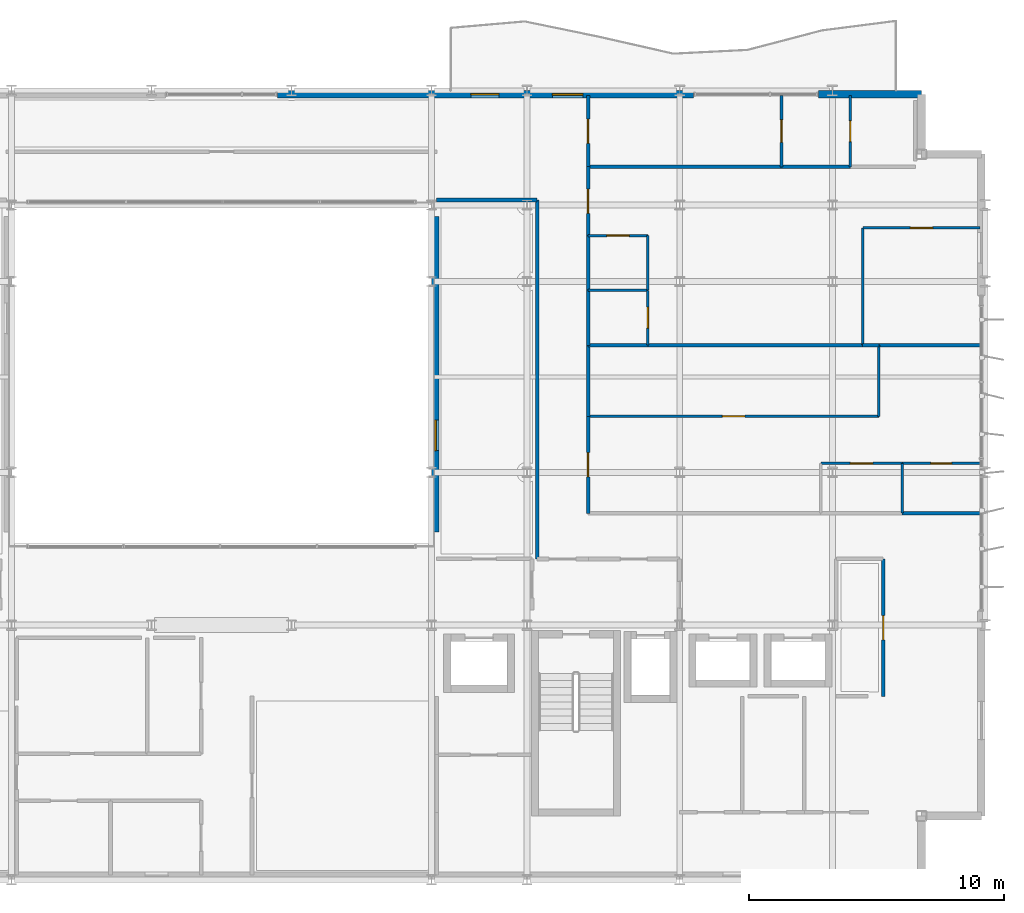
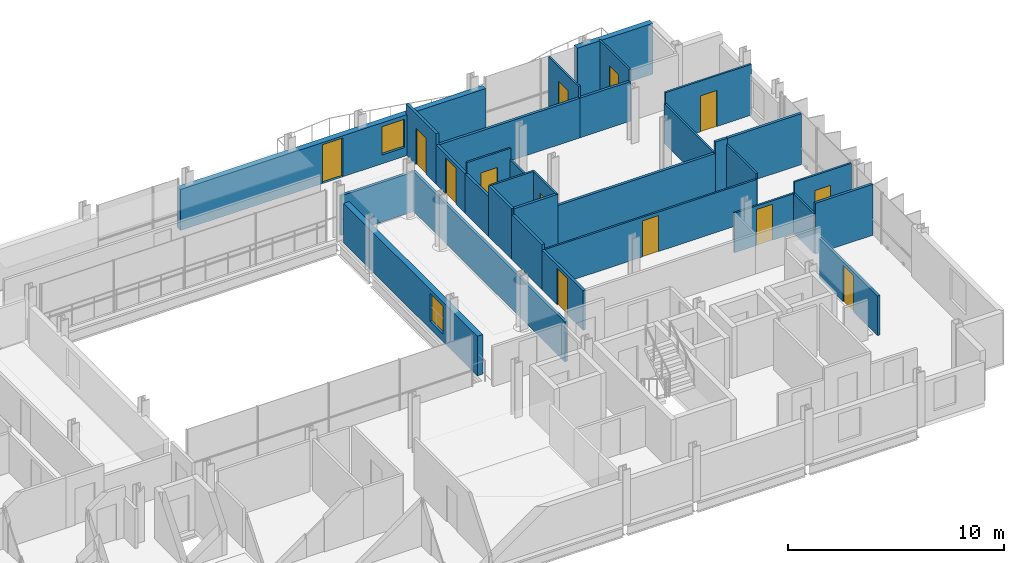
# One storey, part 33 of 40: 32 walls, 13 doors, 2 windows, 15 openings.
"""IFC4 building model written with IfcOpenShell, lengths in metres."""

from ifc_helpers import new_model, si_unit, direction, frame, frame_2d, origin, place, context, subcontext, project, spatial, rectangle, extrude, material, layer, layer_set, type_object, element, fill, save


model = new_model("IFC4")

# Units and contexts
model_context = context("Model", 3, precision=1e-05, world=origin(), true_north=direction((0.0, 1.0)))
body_context = subcontext(model_context, "Body", "Model", "MODEL_VIEW")
ifc_project = project(units=[si_unit("LENGTHUNIT", "METRE"), si_unit("AREAUNIT", "SQUARE_METRE"), si_unit("VOLUMEUNIT", "CUBIC_METRE"), si_unit("PLANEANGLEUNIT", "RADIAN"), si_unit("MASSUNIT", "GRAM", prefix="KILO")], contexts=[model_context])

# Site, building, storey
site_placement = place(None, origin())
site = spatial("IfcSite", under=ifc_project, at=site_placement, CompositionType="ELEMENT")
building_placement = place(site_placement, origin())
building = spatial("IfcBuilding", under=site, at=building_placement, Name="Brevholm Reach", CompositionType="ELEMENT")
storey_placement = place(building_placement, frame((0.0, 0.0, 148.0)))
storey = spatial("IfcBuildingStorey", under=building, at=storey_placement, Name="L44", CompositionType="ELEMENT", Elevation=148.0)

# Wall
ifc_material_1 = material(Name="Concrete C40/50", Category="concrete")
ifc_layer_1 = layer(ifc_material_1, 0.300048828125)
ifc_layer_set_1 = layer_set([ifc_layer_1], Name="Concrete C40/50")
wall_type_1 = type_object("IfcWallType", Name="WAL-EXT-300", PredefinedType="STANDARD", material=ifc_layer_set_1)
wall_1_placement = place(storey_placement, frame((53.449951171875, 30.85009765625, 0.0), z_axis=(0.0, 0.0, 1.0), x_axis=(1.0, 0.0, 0.0)))
element("IfcWall", 1, at=wall_1_placement, inside=storey, type_object=wall_type_1, Name="L44 Facade Wall WAL-L44-NP-E0", PredefinedType="STANDARD", context=body_context, shape_type="SweptSolid", body=[
    extrude(rectangle(XDim=4.050048828125, YDim=0.300048828125, at=frame_2d((2.02490234375, 0.0))), origin(), (0.0, 0.0, 1.0), 2.8798828125),
])

# Wall, openings, door, window
wall_2_placement = place(storey_placement, frame((32.199951171875, 30.85009765625, 0.0), z_axis=(0.0, 0.0, 1.0), x_axis=(1.0, 0.0, 0.0)))
wall_2 = element("IfcWall", 2, at=wall_2_placement, inside=storey, type_object=wall_type_1, Name="L44 Facade Wall WAL-L44-NP-ER", PredefinedType="STANDARD", context=body_context, shape_type="SweptSolid", body=[
    extrude(rectangle(XDim=16.35009765625, YDim=0.300048828125, at=frame_2d((8.175048828125, 0.0))), origin(), (0.0, 0.0, 1.0), 2.322021484375),
])
opening_1_placement = place(wall_2_placement, frame((7.60009765625, 0.0, 0.0)))
opening_1 = element("IfcOpeningElement", 3, at=opening_1_placement, cuts=wall_2, Name="Opening BD-01", PredefinedType="OPENING", context=body_context, shape_type="SweptSolid", body=[
    extrude(rectangle(XDim=1.10009765625, YDim=2.199951171875, at=frame_2d((0.550048828125, 1.10009765625))), frame((0.0, 0.159912109375, 0.0), z_axis=(0.0, -1.0, 0.0), x_axis=(1.0, 0.0, 0.0)), (0.0, 0.0, 1.0), 0.320068359375),
])
opening_2_placement = place(wall_2_placement, frame((10.800048828125, 0.0, 0.501953125)))
opening_2 = element("IfcOpeningElement", 4, at=opening_2_placement, cuts=wall_2, Name="Opening WN-08", PredefinedType="OPENING", context=body_context, shape_type="SweptSolid", body=[
    extrude(rectangle(XDim=1.199951171875, YDim=1.60009765625, at=frame_2d((0.60009765625, 0.800048828125))), frame((0.0, 0.159912109375, 0.0), z_axis=(0.0, -1.0, 0.0), x_axis=(1.0, 0.0, 0.0)), (0.0, 0.0, 1.0), 0.320068359375),
])
ifc_material_2 = material(Name="Dark Anodised Aluminium and Triple-Glazed Glass", Category="aluminium")
door_type_1 = type_object("IfcDoorType", Name="DOR-BALC-1100", OperationType="NOTDEFINED", PredefinedType="DOOR", material=ifc_material_2)
door_1_placement = place(opening_1_placement, origin())
door_1 = element("IfcDoor", 5, at=door_1_placement, inside=storey, type_object=door_type_1, Name="L44 Exterior Door DOR-L44-BL-NE", OperationType="SINGLE_SWING_RIGHT", OverallHeight=2.199951171875, OverallWidth=1.10009765625, PredefinedType="DOOR", context=body_context, shape_type="SweptSolid", body=[
    extrude(rectangle(XDim=1.10009765625, YDim=2.199951171875, at=frame_2d((0.550048828125, 1.10009765625))), frame((0.0, 0.02490234375, 0.0), z_axis=(0.0, -1.0, 0.0), x_axis=(1.0, 0.0, 0.0)), (0.0, 0.0, 1.0), 0.050048828125),
])
fill(opening_1, door_1)
ifc_material_3 = material(Name="Dark Anodised Aluminium and Solar-Control IGU Glass", Category="aluminium")
window_type = type_object("IfcWindowType", Name="WIN-RES-1200", PartitioningType="SINGLE_PANEL", PredefinedType="WINDOW", material=ifc_material_3)
window_1_placement = place(opening_2_placement, origin())
window_1 = element("IfcWindow", 6, at=window_1_placement, inside=storey, type_object=window_type, Name="L44 Window WIN-L44-NP-ER1", OverallHeight=1.60009765625, OverallWidth=1.199951171875, PartitioningType="SINGLE_PANEL", PredefinedType="WINDOW", context=body_context, shape_type="SweptSolid", body=[
    extrude(rectangle(XDim=1.199951171875, YDim=1.60009765625, at=frame_2d((0.60009765625, 0.800048828125))), frame((0.0, 0.030029296875, 0.0), z_axis=(0.0, -1.0, 0.0), x_axis=(1.0, 0.0, 0.0)), (0.0, 0.0, 1.0), 0.06005859375),
])
fill(opening_2, window_1)

# Wall, opening, window
wall_3_placement = place(storey_placement, frame((38.39990234375, 13.64990234375, 0.0), z_axis=(0.0, 0.0, 1.0), x_axis=(0.0, 1.0, 0.0)))
wall_3 = element("IfcWall", 7, at=wall_3_placement, inside=storey, type_object=wall_type_1, Name="L44 Facade Wall WAL-L44-AT-E", PredefinedType="STANDARD", context=body_context, shape_type="SweptSolid", body=[
    extrude(rectangle(XDim=12.400146484375, YDim=0.300048828125, at=frame_2d((6.2001953125, 0.0))), origin(), (0.0, 0.0, 1.0), 2.242919921875),
])
opening_3_placement = place(wall_3_placement, frame((3.199951171875, 0.0, 0.423095703125)))
opening_3 = element("IfcOpeningElement", 8, at=opening_3_placement, cuts=wall_3, Name="Opening WN-08", PredefinedType="OPENING", context=body_context, shape_type="SweptSolid", body=[
    extrude(rectangle(XDim=1.199951171875, YDim=1.60009765625, at=frame_2d((0.60009765625, 0.800048828125))), frame((0.0, 0.159912109375, 0.0), z_axis=(0.0, -1.0, 0.0), x_axis=(1.0, 0.0, 0.0)), (0.0, 0.0, 1.0), 0.320068359375),
])
window_2_placement = place(opening_3_placement, origin())
window_2 = element("IfcWindow", 9, at=window_2_placement, inside=storey, type_object=window_type, Name="L44 Window WIN-L44-AT-E1", OverallHeight=1.60009765625, OverallWidth=1.199951171875, PartitioningType="SINGLE_PANEL", PredefinedType="WINDOW", context=body_context, shape_type="SweptSolid", body=[
    extrude(rectangle(XDim=1.199951171875, YDim=1.60009765625, at=frame_2d((0.60009765625, 0.800048828125))), frame((0.0, 0.030029296875, 0.0), z_axis=(0.0, -1.0, 0.0), x_axis=(1.0, 0.0, 0.0)), (0.0, 0.0, 1.0), 0.06005859375),
])
fill(opening_3, window_2)

# Wall
ifc_material_4 = material(Name="Moisture-Resistant Acoustic Gypsum Stud Partition 100 mm", Category="gypsum")
ifc_layer_2 = layer(ifc_material_4, 0.10009765625)
ifc_layer_set_2 = layer_set([ifc_layer_2], Name="Moisture-Resistant Acoustic Gypsum Stud Partition 100 mm")
wall_type_2 = type_object("IfcWallType", Name="WAL-PRT-100", PredefinedType="PARTITIONING", material=ifc_layer_set_2)
wall_4_placement = place(storey_placement, frame((56.75, 14.404052734375, 0.0), z_axis=(0.0, 0.0, 1.0), x_axis=(0.0, 1.0, 0.0)))
element("IfcWall", 10, at=wall_4_placement, inside=storey, type_object=wall_type_2, Name="L44 Internal Partition 098", PredefinedType="PARTITIONING", context=body_context, shape_type="SweptSolid", body=[
    extrude(rectangle(XDim=1.946044921875, YDim=0.10009765625, at=frame_2d((0.97314453125, 0.0))), origin(), (0.0, 0.0, 1.0), 2.242919921875),
])

# Wall, opening, door
wall_5_placement = place(storey_placement, frame((56.75, 16.35009765625, 0.0), z_axis=(0.0, 0.0, 1.0), x_axis=(1.0, 0.0, 0.0)))
wall_5 = element("IfcWall", 11, at=wall_5_placement, inside=storey, type_object=wall_type_2, Name="L44 Internal Partition 099", PredefinedType="PARTITIONING", context=body_context, shape_type="SweptSolid", body=[
    extrude(rectangle(XDim=3.050048828125, YDim=0.10009765625, at=frame_2d((1.52490234375, 0.0))), origin(), (0.0, 0.0, 1.0), 2.8798828125),
])
opening_4_placement = place(wall_5_placement, frame((1.114990234375, 0.0, 0.0)))
opening_4 = element("IfcOpeningElement", 12, at=opening_4_placement, cuts=wall_5, Name="Opening ID-03", PredefinedType="OPENING", context=body_context, shape_type="SweptSolid", body=[
    extrude(rectangle(XDim=0.820068359375, YDim=2.02001953125, at=frame_2d((0.41015625, 1.010009765625))), frame((0.0, 0.06005859375, 0.0), z_axis=(0.0, -1.0, 0.0), x_axis=(1.0, 0.0, 0.0)), (0.0, 0.0, 1.0), 0.1201171875),
])
ifc_material_5 = material(Name="Moisture-Resistant Painted Timber Internal Bathroom Door", Category="wood")
door_type_2 = type_object("IfcDoorType", Name="DOR-BATH-820", OperationType="NOTDEFINED", PredefinedType="DOOR", material=ifc_material_5)
door_2_placement = place(opening_4_placement, origin())
door_2 = element("IfcDoor", 13, at=door_2_placement, inside=storey, type_object=door_type_2, Name="L44 Internal Door 040", OperationType="SINGLE_SWING_LEFT", OverallHeight=2.02001953125, OverallWidth=0.820068359375, PredefinedType="DOOR", context=body_context, shape_type="SweptSolid", body=[
    extrude(rectangle(XDim=0.820068359375, YDim=2.02001953125, at=frame_2d((0.41015625, 1.010009765625))), frame((0.0, 0.02490234375, 0.0), z_axis=(0.0, -1.0, 0.0), x_axis=(1.0, 0.0, 0.0)), (0.0, 0.0, 1.0), 0.050048828125),
])
fill(opening_4, door_2)

wall_6_placement = place(storey_placement, frame((53.550048828125, 16.35009765625, 0.0), z_axis=(0.0, 0.0, 1.0), x_axis=(1.0, 0.0, 0.0)))
wall_6 = element("IfcWall", 14, at=wall_6_placement, inside=storey, type_object=wall_type_2, Name="L44 Internal Partition 100", PredefinedType="PARTITIONING", context=body_context, shape_type="SweptSolid", body=[
    extrude(rectangle(XDim=3.196044921875, YDim=0.10009765625, at=frame_2d((1.59814453125, 0.0))), origin(), (0.0, 0.0, 1.0), 2.242919921875),
])
opening_5_placement = place(wall_6_placement, frame((1.157958984375, 0.0, 0.0)))
opening_5 = element("IfcOpeningElement", 15, at=opening_5_placement, cuts=wall_6, Name="Opening ID-01", PredefinedType="OPENING", context=body_context, shape_type="SweptSolid", body=[
    extrude(rectangle(XDim=0.8798828125, YDim=2.0400390625, at=frame_2d((0.43994140625, 1.02001953125))), frame((0.0, 0.06005859375, 0.0), z_axis=(0.0, -1.0, 0.0), x_axis=(1.0, 0.0, 0.0)), (0.0, 0.0, 1.0), 0.1201171875),
])
ifc_material_6 = material(Name="Lacquered Ash Solid-Core Acoustic Internal Door", Category="timber")
door_type_3 = type_object("IfcDoorType", Name="DOR-INT-880", OperationType="NOTDEFINED", PredefinedType="DOOR", material=ifc_material_6)
door_3_placement = place(opening_5_placement, origin())
door_3 = element("IfcDoor", 16, at=door_3_placement, inside=storey, type_object=door_type_3, Name="L44 Internal Door 041", OperationType="SINGLE_SWING_RIGHT", OverallHeight=2.0400390625, OverallWidth=0.8798828125, PredefinedType="DOOR", context=body_context, shape_type="SweptSolid", body=[
    extrude(rectangle(XDim=0.8798828125, YDim=2.0400390625, at=frame_2d((0.43994140625, 1.02001953125))), frame((0.0, 0.02490234375, 0.0), z_axis=(0.0, -1.0, 0.0), x_axis=(1.0, 0.0, 0.0)), (0.0, 0.0, 1.0), 0.050048828125),
])
fill(opening_5, door_3)

wall_7_placement = place(storey_placement, frame((44.404052734375, 18.199951171875, 0.0), z_axis=(0.0, 0.0, 1.0), x_axis=(1.0, 0.0, 0.0)))
wall_7 = element("IfcWall", 17, at=wall_7_placement, inside=storey, type_object=wall_type_2, Name="L44 Internal Partition 102", PredefinedType="PARTITIONING", context=body_context, shape_type="SweptSolid", body=[
    extrude(rectangle(XDim=11.425048828125, YDim=0.10009765625, at=frame_2d((5.71240234375, 0.0))), origin(), (0.0, 0.0, 1.0), 2.242919921875),
])
opening_6_placement = place(wall_7_placement, frame((5.2724609375, 0.0, 0.0)))
opening_6 = element("IfcOpeningElement", 18, at=opening_6_placement, cuts=wall_7, Name="Opening ID-01", PredefinedType="OPENING", context=body_context, shape_type="SweptSolid", body=[
    extrude(rectangle(XDim=0.8798828125, YDim=2.0400390625, at=frame_2d((0.43994140625, 1.02001953125))), frame((0.0, 0.06005859375, 0.0), z_axis=(0.0, -1.0, 0.0), x_axis=(1.0, 0.0, 0.0)), (0.0, 0.0, 1.0), 0.1201171875),
])
door_4_placement = place(opening_6_placement, origin())
door_4 = element("IfcDoor", 19, at=door_4_placement, inside=storey, type_object=door_type_3, Name="L44 Internal Door 042", OperationType="SINGLE_SWING_LEFT", OverallHeight=2.0400390625, OverallWidth=0.8798828125, PredefinedType="DOOR", context=body_context, shape_type="SweptSolid", body=[
    extrude(rectangle(XDim=0.8798828125, YDim=2.0400390625, at=frame_2d((0.43994140625, 1.02001953125))), frame((0.0, 0.02490234375, 0.0), z_axis=(0.0, -1.0, 0.0), x_axis=(1.0, 0.0, 0.0)), (0.0, 0.0, 1.0), 0.050048828125),
])
fill(opening_6, door_4)

# Walls
wall_8_placement = place(storey_placement, frame((55.8291015625, 18.199951171875, 0.0), z_axis=(0.0, 0.0, 1.0), x_axis=(0.0, 1.0, 0.0)))
element("IfcWall", 20, at=wall_8_placement, inside=storey, type_object=wall_type_2, Name="L44 Internal Partition 103", PredefinedType="PARTITIONING", context=body_context, shape_type="SweptSolid", body=[
    extrude(rectangle(XDim=2.800048828125, YDim=0.10009765625, at=frame_2d((1.39990234375, 0.0))), origin(), (0.0, 0.0, 1.0), 2.551513671875),
])
wall_9_placement = place(storey_placement, frame((44.404052734375, 23.14990234375, 0.0), z_axis=(0.0, 0.0, 1.0), x_axis=(1.0, 0.0, 0.0)))
element("IfcWall", 21, at=wall_9_placement, inside=storey, type_object=wall_type_2, Name="L44 Internal Partition 108", PredefinedType="PARTITIONING", context=body_context, shape_type="SweptSolid", body=[
    extrude(rectangle(XDim=2.345947265625, YDim=0.10009765625, at=frame_2d((1.1728515625, 0.0))), origin(), (0.0, 0.0, 1.0), 2.8798828125),
])

# Wall, opening, door
wall_10_placement = place(storey_placement, frame((46.75, 21.00390625, 0.0), z_axis=(0.0, 0.0, 1.0), x_axis=(0.0, 1.0, 0.0)))
wall_10 = element("IfcWall", 22, at=wall_10_placement, inside=storey, type_object=wall_type_2, Name="L44 Internal Partition 109", PredefinedType="PARTITIONING", context=body_context, shape_type="SweptSolid", body=[
    extrude(rectangle(XDim=2.14599609375, YDim=0.10009765625, at=frame_2d((1.072998046875, 0.0))), origin(), (0.0, 0.0, 1.0), 2.8798828125),
])
opening_7_placement = place(wall_10_placement, frame((0.6630859375, 0.0, 0.0)))
opening_7 = element("IfcOpeningElement", 23, at=opening_7_placement, cuts=wall_10, Name="Opening ID-03", PredefinedType="OPENING", context=body_context, shape_type="SweptSolid", body=[
    extrude(rectangle(XDim=0.820068359375, YDim=2.02001953125, at=frame_2d((0.41015625, 1.010009765625))), frame((0.0, 0.06005859375, 0.0), z_axis=(0.0, -1.0, 0.0), x_axis=(1.0, 0.0, 0.0)), (0.0, 0.0, 1.0), 0.1201171875),
])
door_5_placement = place(opening_7_placement, origin())
door_5 = element("IfcDoor", 24, at=door_5_placement, inside=storey, type_object=door_type_2, Name="L44 Internal Door 043", OperationType="SINGLE_SWING_RIGHT", OverallHeight=2.02001953125, OverallWidth=0.820068359375, PredefinedType="DOOR", context=body_context, shape_type="SweptSolid", body=[
    extrude(rectangle(XDim=0.820068359375, YDim=2.02001953125, at=frame_2d((0.41015625, 1.010009765625))), frame((0.0, 0.02490234375, 0.0), z_axis=(0.0, -1.0, 0.0), x_axis=(1.0, 0.0, 0.0)), (0.0, 0.0, 1.0), 0.050048828125),
])
fill(opening_7, door_5)

# Wall
wall_11_placement = place(storey_placement, frame((46.75, 23.154052734375, 0.0), z_axis=(0.0, 0.0, 1.0), x_axis=(0.0, 1.0, 0.0)))
element("IfcWall", 25, at=wall_11_placement, inside=storey, type_object=wall_type_2, Name="L44 Internal Partition 110", PredefinedType="PARTITIONING", context=body_context, shape_type="SweptSolid", body=[
    extrude(rectangle(XDim=2.14599609375, YDim=0.10009765625, at=frame_2d((1.072998046875, 0.0))), origin(), (0.0, 0.0, 1.0), 2.242919921875),
])

# Wall, opening, door
wall_12_placement = place(storey_placement, frame((44.404052734375, 25.300048828125, 0.0), z_axis=(0.0, 0.0, 1.0), x_axis=(1.0, 0.0, 0.0)))
wall_12 = element("IfcWall", 26, at=wall_12_placement, inside=storey, type_object=wall_type_2, Name="L44 Internal Partition 111", PredefinedType="PARTITIONING", context=body_context, shape_type="SweptSolid", body=[
    extrude(rectangle(XDim=2.345947265625, YDim=0.10009765625, at=frame_2d((1.1728515625, 0.0))), origin(), (0.0, 0.0, 1.0), 2.8798828125),
])
opening_8_placement = place(wall_12_placement, frame((0.73291015625, 0.0, 0.0)))
opening_8 = element("IfcOpeningElement", 27, at=opening_8_placement, cuts=wall_12, Name="Opening ID-01", PredefinedType="OPENING", context=body_context, shape_type="SweptSolid", body=[
    extrude(rectangle(XDim=0.8798828125, YDim=2.0400390625, at=frame_2d((0.43994140625, 1.02001953125))), frame((0.0, 0.06005859375, 0.0), z_axis=(0.0, -1.0, 0.0), x_axis=(1.0, 0.0, 0.0)), (0.0, 0.0, 1.0), 0.1201171875),
])
door_6_placement = place(opening_8_placement, origin())
door_6 = element("IfcDoor", 28, at=door_6_placement, inside=storey, type_object=door_type_3, Name="L44 Internal Door 044", OperationType="SINGLE_SWING_LEFT", OverallHeight=2.0400390625, OverallWidth=0.8798828125, PredefinedType="DOOR", context=body_context, shape_type="SweptSolid", body=[
    extrude(rectangle(XDim=0.8798828125, YDim=2.0400390625, at=frame_2d((0.43994140625, 1.02001953125))), frame((0.0, 0.02490234375, 0.0), z_axis=(0.0, -1.0, 0.0), x_axis=(1.0, 0.0, 0.0)), (0.0, 0.0, 1.0), 0.050048828125),
])
fill(opening_8, door_6)

wall_13_placement = place(storey_placement, frame((55.199951171875, 25.60009765625, 0.0), z_axis=(0.0, 0.0, 1.0), x_axis=(1.0, 0.0, 0.0)))
wall_13 = element("IfcWall", 29, at=wall_13_placement, inside=storey, type_object=wall_type_2, Name="L44 Internal Partition 112", PredefinedType="PARTITIONING", context=body_context, shape_type="SweptSolid", body=[
    extrude(rectangle(XDim=4.60009765625, YDim=0.10009765625, at=frame_2d((2.300048828125, 0.0))), origin(), (0.0, 0.0, 1.0), 2.8798828125),
])
opening_9_placement = place(wall_13_placement, frame((1.860107421875, 0.0, 0.0)))
opening_9 = element("IfcOpeningElement", 30, at=opening_9_placement, cuts=wall_13, Name="Opening ID-01", PredefinedType="OPENING", context=body_context, shape_type="SweptSolid", body=[
    extrude(rectangle(XDim=0.8798828125, YDim=2.0400390625, at=frame_2d((0.43994140625, 1.02001953125))), frame((0.0, 0.06005859375, 0.0), z_axis=(0.0, -1.0, 0.0), x_axis=(1.0, 0.0, 0.0)), (0.0, 0.0, 1.0), 0.1201171875),
])
door_7_placement = place(opening_9_placement, origin())
door_7 = element("IfcDoor", 31, at=door_7_placement, inside=storey, type_object=door_type_3, Name="L44 Internal Door 045", OperationType="SINGLE_SWING_RIGHT", OverallHeight=2.0400390625, OverallWidth=0.8798828125, PredefinedType="DOOR", context=body_context, shape_type="SweptSolid", body=[
    extrude(rectangle(XDim=0.8798828125, YDim=2.0400390625, at=frame_2d((0.43994140625, 1.02001953125))), frame((0.0, 0.02490234375, 0.0), z_axis=(0.0, -1.0, 0.0), x_axis=(1.0, 0.0, 0.0)), (0.0, 0.0, 1.0), 0.050048828125),
])
fill(opening_9, door_7)

# Wall
wall_14_placement = place(storey_placement, frame((55.199951171875, 21.00390625, 0.0), z_axis=(0.0, 0.0, 1.0), x_axis=(0.0, 1.0, 0.0)))
element("IfcWall", 32, at=wall_14_placement, inside=storey, type_object=wall_type_2, Name="L44 Internal Partition 113", PredefinedType="PARTITIONING", context=body_context, shape_type="SweptSolid", body=[
    extrude(rectangle(XDim=4.59619140625, YDim=0.10009765625, at=frame_2d((2.298095703125, 0.0))), origin(), (0.0, 0.0, 1.0), 2.242919921875),
])

# Wall, opening, door
wall_15_placement = place(storey_placement, frame((54.699951171875, 28.00390625, 0.0), z_axis=(0.0, 0.0, 1.0), x_axis=(0.0, 1.0, 0.0)))
wall_15 = element("IfcWall", 33, at=wall_15_placement, inside=storey, type_object=wall_type_2, Name="L44 Internal Partition 119", PredefinedType="PARTITIONING", context=body_context, shape_type="SweptSolid", body=[
    extrude(rectangle(XDim=2.796142578125, YDim=0.10009765625, at=frame_2d((1.39794921875, 0.0))), origin(), (0.0, 0.0, 1.0), 2.8798828125),
])
opening_10_placement = place(wall_15_placement, frame((0.988037109375, 0.0, 0.0)))
opening_10 = element("IfcOpeningElement", 34, at=opening_10_placement, cuts=wall_15, Name="Opening ID-03", PredefinedType="OPENING", context=body_context, shape_type="SweptSolid", body=[
    extrude(rectangle(XDim=0.820068359375, YDim=2.02001953125, at=frame_2d((0.41015625, 1.010009765625))), frame((0.0, 0.06005859375, 0.0), z_axis=(0.0, -1.0, 0.0), x_axis=(1.0, 0.0, 0.0)), (0.0, 0.0, 1.0), 0.1201171875),
])
door_8_placement = place(opening_10_placement, origin())
door_8 = element("IfcDoor", 35, at=door_8_placement, inside=storey, type_object=door_type_2, Name="L44 Access Door 049", OperationType="SINGLE_SWING_RIGHT", OverallHeight=2.02001953125, OverallWidth=0.820068359375, PredefinedType="DOOR", context=body_context, shape_type="SweptSolid", body=[
    extrude(rectangle(XDim=0.820068359375, YDim=2.02001953125, at=frame_2d((0.41015625, 1.010009765625))), frame((0.0, 0.02490234375, 0.0), z_axis=(0.0, -1.0, 0.0), x_axis=(1.0, 0.0, 0.0)), (0.0, 0.0, 1.0), 0.050048828125),
])
fill(opening_10, door_8)

wall_16_placement = place(storey_placement, frame((52.0, 28.00390625, 0.0), z_axis=(0.0, 0.0, 1.0), x_axis=(0.0, 1.0, 0.0)))
wall_16 = element("IfcWall", 36, at=wall_16_placement, inside=storey, type_object=wall_type_2, Name="L44 Internal Partition 120", PredefinedType="PARTITIONING", context=body_context, shape_type="SweptSolid", body=[
    extrude(rectangle(XDim=2.796142578125, YDim=0.10009765625, at=frame_2d((1.39794921875, 0.0))), origin(), (0.0, 0.0, 1.0), 2.8798828125),
])
opening_11_placement = place(wall_16_placement, frame((0.9580078125, 0.0, 0.0)))
opening_11 = element("IfcOpeningElement", 37, at=opening_11_placement, cuts=wall_16, Name="Opening ID-01", PredefinedType="OPENING", context=body_context, shape_type="SweptSolid", body=[
    extrude(rectangle(XDim=0.8798828125, YDim=2.0400390625, at=frame_2d((0.43994140625, 1.02001953125))), frame((0.0, 0.06005859375, 0.0), z_axis=(0.0, -1.0, 0.0), x_axis=(1.0, 0.0, 0.0)), (0.0, 0.0, 1.0), 0.1201171875),
])
door_9_placement = place(opening_11_placement, origin())
door_9 = element("IfcDoor", 38, at=door_9_placement, inside=storey, type_object=door_type_3, Name="L44 Internal Door 047", OperationType="SINGLE_SWING_RIGHT", OverallHeight=2.0400390625, OverallWidth=0.8798828125, PredefinedType="DOOR", context=body_context, shape_type="SweptSolid", body=[
    extrude(rectangle(XDim=0.8798828125, YDim=2.0400390625, at=frame_2d((0.43994140625, 1.02001953125))), frame((0.0, 0.02490234375, 0.0), z_axis=(0.0, -1.0, 0.0), x_axis=(1.0, 0.0, 0.0)), (0.0, 0.0, 1.0), 0.050048828125),
])
fill(opening_11, door_9)

ifc_material_7 = material(Name="Twin-Stud Acoustic Fire-Rated Gypsum Partition 140 mm", Category="gypsum")
ifc_layer_3 = layer(ifc_material_7, 0.139892578125)
ifc_layer_set_3 = layer_set([ifc_layer_3], Name="Twin-Stud Acoustic Fire-Rated Gypsum Partition 140 mm")
wall_type_3 = type_object("IfcWallType", Name="WAL-PRT-140", PredefinedType="PARTITIONING", material=ifc_layer_set_3)
wall_17_placement = place(storey_placement, frame((56.0, 7.188720703125, 0.0), z_axis=(0.0, 0.0, 1.0), x_axis=(0.0, 1.0, 0.0)))
wall_17 = element("IfcWall", 39, at=wall_17_placement, inside=storey, type_object=wall_type_3, Name="L44 Internal Partition 016", PredefinedType="PARTITIONING", context=body_context, shape_type="SweptSolid", body=[
    extrude(rectangle(XDim=5.411376953125, YDim=0.139892578125, at=frame_2d((2.70556640625, 0.0))), origin(), (0.0, 0.0, 1.0), 2.242919921875),
])
opening_12_placement = place(wall_17_placement, frame((2.230712890625, 0.0, 0.0)))
opening_12 = element("IfcOpeningElement", 40, at=opening_12_placement, cuts=wall_17, Name="Opening ID-30", PredefinedType="OPENING", context=body_context, shape_type="SweptSolid", body=[
    extrude(rectangle(XDim=0.949951171875, YDim=2.050048828125, at=frame_2d((0.47509765625, 1.02490234375))), frame((0.0, 0.079833984375, 0.0), z_axis=(0.0, -1.0, 0.0), x_axis=(1.0, 0.0, 0.0)), (0.0, 0.0, 1.0), 0.159912109375),
])
ifc_material_8 = material(Name="European Oak Veneered Solid-Core Fire Entrance Door", Category="timber")
door_type_4 = type_object("IfcDoorType", Name="DOR-FLT-FD30S", OperationType="NOTDEFINED", PredefinedType="DOOR", material=ifc_material_8)
door_10_placement = place(opening_12_placement, origin())
door_10 = element("IfcDoor", 41, at=door_10_placement, inside=storey, type_object=door_type_4, Name="L44 Internal Door 007", OperationType="SINGLE_SWING_RIGHT", OverallHeight=2.050048828125, OverallWidth=0.949951171875, PredefinedType="DOOR", context=body_context, shape_type="SweptSolid", body=[
    extrude(rectangle(XDim=0.949951171875, YDim=2.050048828125, at=frame_2d((0.47509765625, 1.02490234375))), frame((0.0, 0.02490234375, 0.0), z_axis=(0.0, -1.0, 0.0), x_axis=(1.0, 0.0, 0.0)), (0.0, 0.0, 1.0), 0.050048828125),
])
fill(opening_12, door_10)

# Wall
wall_18_placement = place(storey_placement, frame((44.39990234375, 18.188720703125, 0.0), z_axis=(0.0, 0.0, 1.0), x_axis=(0.0, 1.0, 0.0)))
element("IfcWall", 42, at=wall_18_placement, inside=storey, type_object=wall_type_3, Name="L44 Internal Partition 046", PredefinedType="PARTITIONING", context=body_context, shape_type="SweptSolid", body=[
    extrude(rectangle(XDim=2.822509765625, YDim=0.139892578125, at=frame_2d((1.4111328125, 0.0))), origin(), (0.0, 0.0, 1.0), 2.551513671875),
])

# Wall, opening, door
wall_19_placement = place(storey_placement, frame((44.39990234375, 14.392578125, 0.0), z_axis=(0.0, 0.0, 1.0), x_axis=(0.0, 1.0, 0.0)))
wall_19 = element("IfcWall", 43, at=wall_19_placement, inside=storey, type_object=wall_type_3, Name="L44 Internal Partition 047", PredefinedType="PARTITIONING", context=body_context, shape_type="SweptSolid", body=[
    extrude(rectangle(XDim=3.814697265625, YDim=0.139892578125, at=frame_2d((1.9072265625, 0.0))), origin(), (0.0, 0.0, 1.0), 2.242919921875),
])
opening_13_placement = place(wall_19_placement, frame((1.432373046875, 0.0, 0.0)))
opening_13 = element("IfcOpeningElement", 44, at=opening_13_placement, cuts=wall_19, Name="Opening ID-30", PredefinedType="OPENING", context=body_context, shape_type="SweptSolid", body=[
    extrude(rectangle(XDim=0.949951171875, YDim=2.050048828125, at=frame_2d((0.47509765625, 1.02490234375))), frame((0.0, 0.079833984375, 0.0), z_axis=(0.0, -1.0, 0.0), x_axis=(1.0, 0.0, 0.0)), (0.0, 0.0, 1.0), 0.159912109375),
])
door_11_placement = place(opening_13_placement, origin())
door_11 = element("IfcDoor", 45, at=door_11_placement, inside=storey, type_object=door_type_4, Name="L44 Internal Door 026", OperationType="SINGLE_SWING_LEFT", OverallHeight=2.050048828125, OverallWidth=0.949951171875, PredefinedType="DOOR", context=body_context, shape_type="SweptSolid", body=[
    extrude(rectangle(XDim=0.949951171875, YDim=2.050048828125, at=frame_2d((0.47509765625, 1.02490234375))), frame((0.0, 0.02490234375, 0.0), z_axis=(0.0, -1.0, 0.0), x_axis=(1.0, 0.0, 0.0)), (0.0, 0.0, 1.0), 0.050048828125),
])
fill(opening_13, door_11)

# Walls
wall_20_placement = place(storey_placement, frame((44.39990234375, 20.99267578125, 0.0), z_axis=(0.0, 0.0, 1.0), x_axis=(0.0, 1.0, 0.0)))
element("IfcWall", 46, at=wall_20_placement, inside=storey, type_object=wall_type_3, Name="L44 Internal Partition 048", PredefinedType="PARTITIONING", context=body_context, shape_type="SweptSolid", body=[
    extrude(rectangle(XDim=2.168701171875, YDim=0.139892578125, at=frame_2d((1.08447265625, 0.0))), origin(), (0.0, 0.0, 1.0), 2.8798828125),
])
wall_21_placement = place(storey_placement, frame((44.39990234375, 23.142578125, 0.0), z_axis=(0.0, 0.0, 1.0), x_axis=(0.0, 1.0, 0.0)))
element("IfcWall", 47, at=wall_21_placement, inside=storey, type_object=wall_type_3, Name="L44 Internal Partition 049", PredefinedType="PARTITIONING", context=body_context, shape_type="SweptSolid", body=[
    extrude(rectangle(XDim=2.168701171875, YDim=0.139892578125, at=frame_2d((1.08447265625, 0.0))), origin(), (0.0, 0.0, 1.0), 2.242919921875),
])

# Wall, opening, door
wall_22_placement = place(storey_placement, frame((44.39990234375, 25.292724609375, 0.0), z_axis=(0.0, 0.0, 1.0), x_axis=(0.0, 1.0, 0.0)))
wall_22 = element("IfcWall", 48, at=wall_22_placement, inside=storey, type_object=wall_type_3, Name="L44 Internal Partition 050", PredefinedType="PARTITIONING", context=body_context, shape_type="SweptSolid", body=[
    extrude(rectangle(XDim=2.718505859375, YDim=0.139892578125, at=frame_2d((1.359375, 0.0))), origin(), (0.0, 0.0, 1.0), 2.242919921875),
])
opening_14_placement = place(wall_22_placement, frame((0.88427734375, 0.0, 0.0)))
opening_14 = element("IfcOpeningElement", 49, at=opening_14_placement, cuts=wall_22, Name="Opening ID-30", PredefinedType="OPENING", context=body_context, shape_type="SweptSolid", body=[
    extrude(rectangle(XDim=0.949951171875, YDim=2.050048828125, at=frame_2d((0.47509765625, 1.02490234375))), frame((0.0, 0.079833984375, 0.0), z_axis=(0.0, -1.0, 0.0), x_axis=(1.0, 0.0, 0.0)), (0.0, 0.0, 1.0), 0.159912109375),
])
door_12_placement = place(opening_14_placement, origin())
door_12 = element("IfcDoor", 50, at=door_12_placement, inside=storey, type_object=door_type_4, Name="L44 Internal Door 027", OperationType="SINGLE_SWING_RIGHT", OverallHeight=2.050048828125, OverallWidth=0.949951171875, PredefinedType="DOOR", context=body_context, shape_type="SweptSolid", body=[
    extrude(rectangle(XDim=0.949951171875, YDim=2.050048828125, at=frame_2d((0.47509765625, 1.02490234375))), frame((0.0, 0.02490234375, 0.0), z_axis=(0.0, -1.0, 0.0), x_axis=(1.0, 0.0, 0.0)), (0.0, 0.0, 1.0), 0.050048828125),
])
fill(opening_14, door_12)

# Wall
wall_23_placement = place(storey_placement, frame((42.39990234375, 12.60400390625, 0.0), z_axis=(0.0, 0.0, 1.0), x_axis=(0.0, 1.0, 0.0)))
element("IfcWall", 51, at=wall_23_placement, inside=storey, type_object=wall_type_3, Name="L44 Internal Partition 051", PredefinedType="PARTITIONING", context=body_context, shape_type="SweptSolid", body=[
    extrude(rectangle(XDim=14.103271484375, YDim=0.139892578125, at=frame_2d((7.0517578125, 0.0))), origin(), (0.0, 0.0, 1.0), 2.242919921875),
])

# Wall, opening, door
wall_24_placement = place(storey_placement, frame((44.39990234375, 27.99267578125, 0.0), z_axis=(0.0, 0.0, 1.0), x_axis=(0.0, 1.0, 0.0)))
wall_24 = element("IfcWall", 52, at=wall_24_placement, inside=storey, type_object=wall_type_3, Name="L44 Internal Partition 052", PredefinedType="PARTITIONING", context=body_context, shape_type="SweptSolid", body=[
    extrude(rectangle(XDim=2.807373046875, YDim=0.139892578125, at=frame_2d((1.40380859375, 0.0))), origin(), (0.0, 0.0, 1.0), 2.8798828125),
])
opening_15_placement = place(wall_24_placement, frame((0.9287109375, 0.0, 0.0)))
opening_15 = element("IfcOpeningElement", 53, at=opening_15_placement, cuts=wall_24, Name="Opening ID-30", PredefinedType="OPENING", context=body_context, shape_type="SweptSolid", body=[
    extrude(rectangle(XDim=0.949951171875, YDim=2.050048828125, at=frame_2d((0.47509765625, 1.02490234375))), frame((0.0, 0.079833984375, 0.0), z_axis=(0.0, -1.0, 0.0), x_axis=(1.0, 0.0, 0.0)), (0.0, 0.0, 1.0), 0.159912109375),
])
door_13_placement = place(opening_15_placement, origin())
door_13 = element("IfcDoor", 54, at=door_13_placement, inside=storey, type_object=door_type_4, Name="L44 Internal Door 028", OperationType="SINGLE_SWING_LEFT", OverallHeight=2.050048828125, OverallWidth=0.949951171875, PredefinedType="DOOR", context=body_context, shape_type="SweptSolid", body=[
    extrude(rectangle(XDim=0.949951171875, YDim=2.050048828125, at=frame_2d((0.47509765625, 1.02490234375))), frame((0.0, 0.02490234375, 0.0), z_axis=(0.0, -1.0, 0.0), x_axis=(1.0, 0.0, 0.0)), (0.0, 0.0, 1.0), 0.050048828125),
])
fill(opening_15, door_13)

# Walls
wall_25_placement = place(storey_placement, frame((56.73876953125, 14.39990234375, 0.0), z_axis=(0.0, 0.0, 1.0), x_axis=(1.0, 0.0, 0.0)))
element("IfcWall", 55, at=wall_25_placement, inside=storey, type_object=wall_type_3, Name="L44 Internal Partition 053", PredefinedType="PARTITIONING", context=body_context, shape_type="SweptSolid", body=[
    extrude(rectangle(XDim=3.072509765625, YDim=0.139892578125, at=frame_2d((1.5361328125, 0.0))), origin(), (0.0, 0.0, 1.0), 2.8798828125),
])
wall_26_placement = place(storey_placement, frame((38.438720703125, 26.699951171875, 0.0), z_axis=(0.0, 0.0, 1.0), x_axis=(1.0, 0.0, 0.0)))
element("IfcWall", 56, at=wall_26_placement, inside=storey, type_object=wall_type_3, Name="L44 Internal Partition 057", PredefinedType="PARTITIONING", context=body_context, shape_type="SweptSolid", body=[
    extrude(rectangle(XDim=3.957275390625, YDim=0.139892578125, at=frame_2d((1.978515625, 0.0))), origin(), (0.0, 0.0, 1.0), 2.242919921875),
])
wall_27_placement = place(storey_placement, frame((44.404052734375, 21.0, 0.0), z_axis=(0.0, 0.0, 1.0), x_axis=(1.0, 0.0, 0.0)))
element("IfcWall", 57, at=wall_27_placement, inside=storey, type_object=wall_type_3, Name="L44 Internal Partition 104", PredefinedType="PARTITIONING", context=body_context, shape_type="SweptSolid", body=[
    extrude(rectangle(XDim=2.357177734375, YDim=0.139892578125, at=frame_2d((1.1787109375, 0.0))), origin(), (0.0, 0.0, 1.0), 2.8798828125),
])
wall_28_placement = place(storey_placement, frame((55.188720703125, 21.0, 0.0), z_axis=(0.0, 0.0, 1.0), x_axis=(1.0, 0.0, 0.0)))
element("IfcWall", 58, at=wall_28_placement, inside=storey, type_object=wall_type_3, Name="L44 Internal Partition 105", PredefinedType="PARTITIONING", context=body_context, shape_type="SweptSolid", body=[
    extrude(rectangle(XDim=0.640380859375, YDim=0.139892578125, at=frame_2d((0.3203125, 0.0))), origin(), (0.0, 0.0, 1.0), 2.8798828125),
])
wall_29_placement = place(storey_placement, frame((46.74267578125, 21.0, 0.0), z_axis=(0.0, 0.0, 1.0), x_axis=(1.0, 0.0, 0.0)))
element("IfcWall", 59, at=wall_29_placement, inside=storey, type_object=wall_type_3, Name="L44 Internal Partition 106", PredefinedType="PARTITIONING", context=body_context, shape_type="SweptSolid", body=[
    extrude(rectangle(XDim=8.464599609375, YDim=0.139892578125, at=frame_2d((4.232421875, 0.0))), origin(), (0.0, 0.0, 1.0), 2.242919921875),
])
wall_30_placement = place(storey_placement, frame((55.8330078125, 21.0, 0.0), z_axis=(0.0, 0.0, 1.0), x_axis=(1.0, 0.0, 0.0)))
element("IfcWall", 60, at=wall_30_placement, inside=storey, type_object=wall_type_3, Name="L44 Internal Partition 107", PredefinedType="PARTITIONING", context=body_context, shape_type="SweptSolid", body=[
    extrude(rectangle(XDim=3.967041015625, YDim=0.139892578125, at=frame_2d((1.9833984375, 0.0))), origin(), (0.0, 0.0, 1.0), 2.8798828125),
])
wall_31_placement = place(storey_placement, frame((51.98876953125, 28.0, 0.0), z_axis=(0.0, 0.0, 1.0), x_axis=(1.0, 0.0, 0.0)))
element("IfcWall", 61, at=wall_31_placement, inside=storey, type_object=wall_type_3, Name="L44 Internal Partition 115", PredefinedType="PARTITIONING", context=body_context, shape_type="SweptSolid", body=[
    extrude(rectangle(XDim=2.718505859375, YDim=0.139892578125, at=frame_2d((1.359375, 0.0))), origin(), (0.0, 0.0, 1.0), 2.242919921875),
])
wall_32_placement = place(storey_placement, frame((44.404052734375, 28.0, 0.0), z_axis=(0.0, 0.0, 1.0), x_axis=(1.0, 0.0, 0.0)))
element("IfcWall", 62, at=wall_32_placement, inside=storey, type_object=wall_type_3, Name="L44 Internal Partition 116", PredefinedType="PARTITIONING", context=body_context, shape_type="SweptSolid", body=[
    extrude(rectangle(XDim=7.603271484375, YDim=0.139892578125, at=frame_2d((3.8017578125, 0.0))), origin(), (0.0, 0.0, 1.0), 2.242919921875),
])

save(model, "model.ifc")
